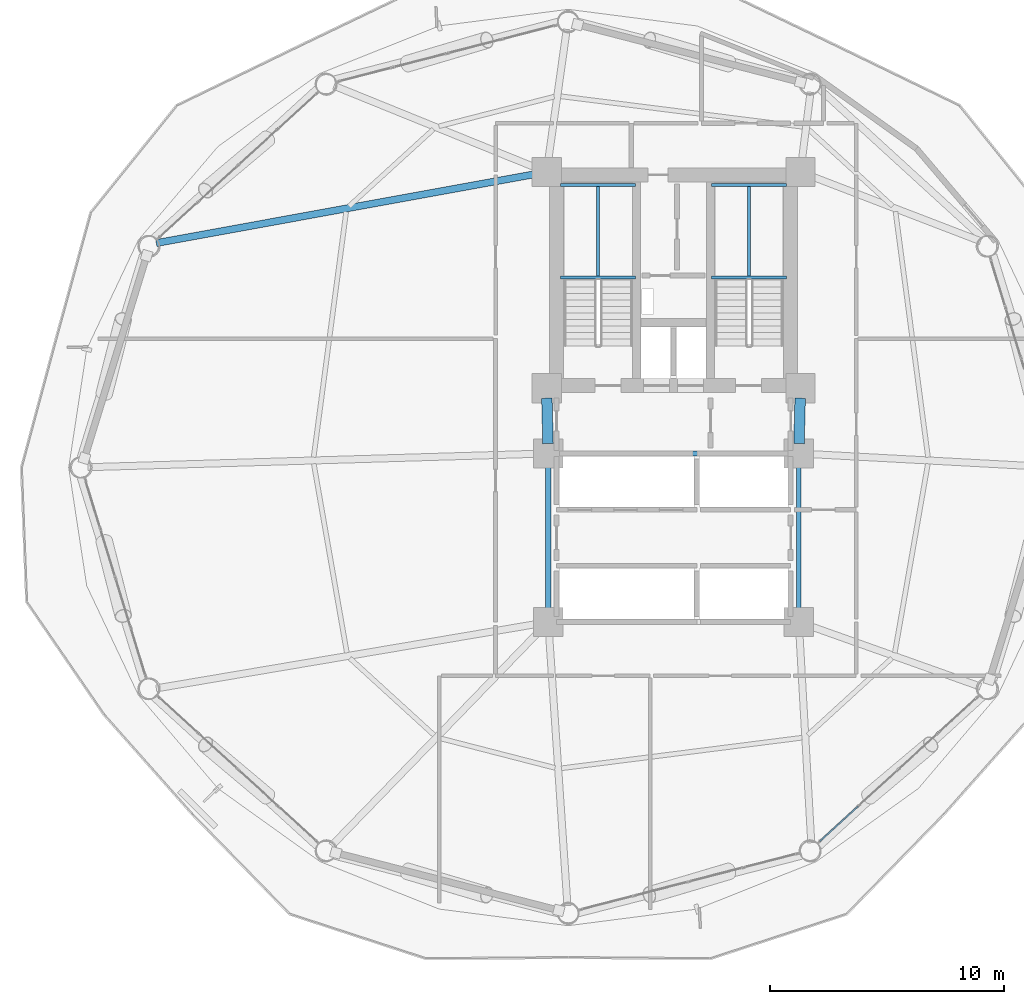
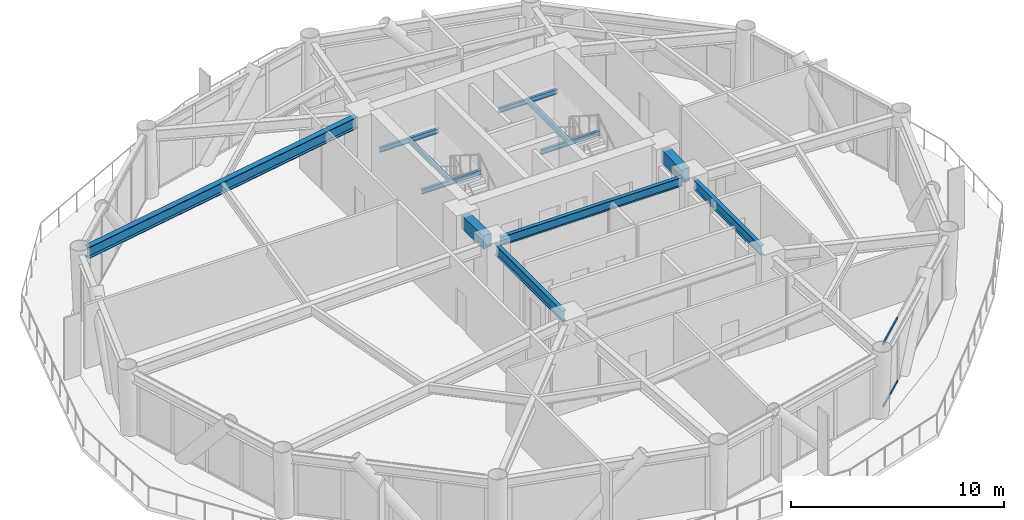
# One storey, part 12 of 24: 12 beams, 2 members, 1 element without a shape of its own.
"""IFC4 building model written with IfcOpenShell, lengths in metres."""

from ifc_helpers import new_model, si_unit, direction, frame, origin, origin_2d, place, context, subcontext, project, spatial, rectangle, hollow_rectangle, i_section, extrude, material, layer, layer_set, material_profile, profile_set, type_object, element, aggregate, save


model = new_model("IFC4")

# Units and contexts
model_context = context("Model", 3, precision=1e-05, world=origin(), true_north=direction((0.0, 1.0)))
body_context = subcontext(model_context, "Body", "Model", "MODEL_VIEW")
ifc_project = project(units=[si_unit("LENGTHUNIT", "METRE"), si_unit("AREAUNIT", "SQUARE_METRE"), si_unit("VOLUMEUNIT", "CUBIC_METRE"), si_unit("PLANEANGLEUNIT", "RADIAN"), si_unit("MASSUNIT", "GRAM", prefix="KILO")], contexts=[model_context])

# Site, building, storey
site_placement = place(None, origin())
site = spatial("IfcSite", under=ifc_project, at=site_placement, CompositionType="ELEMENT")
building_placement = place(site_placement, origin())
building = spatial("IfcBuilding", under=site, at=building_placement, Name="Varnakorn Sky Granary", CompositionType="ELEMENT")
storey_placement = place(building_placement, frame((0.0, 0.0, 43.199951171875)))
storey = spatial("IfcBuildingStorey", under=building, at=storey_placement, Name="L10", CompositionType="ELEMENT", Elevation=43.199951171875)

# Beams
ifc_material_1 = material(Name="Steel S355JR", Category="steel")
ifc_material_profile_1 = material_profile(ifc_material_1, i_section(OverallWidth=0.2099609375, OverallDepth=0.550048828125, WebThickness=0.010986328125, FlangeThickness=0.01708984375, at=origin_2d()), Name="IPE 550")
ifc_profile_set_1 = profile_set([ifc_material_profile_1], Name="Steel S355JR")
beam_type_1 = type_object("IfcBeamType", Name="BM-JST-550", PredefinedType="JOIST", material=ifc_profile_set_1)
beam_1_placement = place(storey_placement, frame((8.35009765625, 0.179931640625, 3.364990234375), z_axis=(0.0, -1.0, 0.0), x_axis=(1.0, 0.0, 0.0)))
element("IfcBeam", 1, at=beam_1_placement, inside=storey, type_object=beam_type_1, Name="Core Spine Framing Beam 4 L10", PredefinedType="JOIST", context=body_context, shape_type="SweptSolid", body=[
    extrude(i_section(OverallWidth=0.2099609375, OverallDepth=0.550048828125, WebThickness=0.010986328125, FlangeThickness=0.01708984375, at=origin_2d()), origin(), (0.0, 0.0, 1.0), 6.35986328125),
])
ifc_material_profile_2 = material_profile(ifc_material_1, i_section(OverallWidth=0.219970703125, OverallDepth=0.60009765625, WebThickness=0.011962890625, FlangeThickness=0.01904296875, at=origin_2d()), Name="IPE 600")
ifc_profile_set_2 = profile_set([ifc_material_profile_2], Name="Steel S355JR")
beam_type_2 = type_object("IfcBeamType", Name="BM-JST-600", PredefinedType="JOIST", material=ifc_profile_set_2)
beam_2_placement = place(storey_placement, frame((-2.35009765625, 0.179931640625, 3.340087890625), z_axis=(0.0, -1.0, 0.0), x_axis=(1.0, 0.0, 0.0)))
element("IfcBeam", 2, at=beam_2_placement, inside=storey, type_object=beam_type_2, Name="Core Spine Framing Beam 3 L10", PredefinedType="JOIST", context=body_context, shape_type="SweptSolid", body=[
    extrude(i_section(OverallWidth=0.219970703125, OverallDepth=0.60009765625, WebThickness=0.011962890625, FlangeThickness=0.01904296875, at=origin_2d()), origin(), (0.0, 0.0, 1.0), 6.35986328125),
])
ifc_material_2 = material(Name="Concrete C60/75", Category="concrete")
ifc_material_profile_3 = material_profile(ifc_material_2, rectangle(XDim=0.449951171875, YDim=0.75, at=origin_2d()), Name="RC 450x750")
ifc_profile_set_3 = profile_set([ifc_material_profile_3], Name="Concrete C60/75")
beam_type_3 = type_object("IfcBeamType", Name="BM-LIN-750", PredefinedType="LINTEL", material=ifc_profile_set_3)
for number, where, z_axis, x_axis, name in (
    (3, (-2.409423828125, 2.960205078125, 3.26513671875), (0.025158763514, -0.999683468213, 0.0), (0.999683468213, 0.025158763514, 0.0), "Core Spine Framing Beam 1 L10"),
    (4, (8.409423828125, 2.960205078125, 3.26513671875), (-0.025158763514, -0.999683468213, 0.0), (0.999683468213, -0.025158763514, 0.0), "Core Spine Framing Beam 2 L10"),
):
    element("IfcBeam", number, at=place(storey_placement, frame(where, z_axis=z_axis, x_axis=x_axis)), inside=storey, type_object=beam_type_3, Name=name, PredefinedType="LINTEL", context=body_context, shape_type="SweptSolid", body=[
        extrude(rectangle(XDim=0.449951171875, YDim=0.75, at=origin_2d()), origin(), (0.0, 0.0, 1.0), 1.94091796875),
    ])
ifc_material_profile_4 = material_profile(ifc_material_1, i_section(OverallWidth=0.135009765625, OverallDepth=0.27001953125, WebThickness=0.006591796875, FlangeThickness=0.01025390625, at=origin_2d()), Name="IPE 270")
ifc_profile_set_4 = profile_set([ifc_material_profile_4], Name="Steel S355JR")
beam_type_4 = type_object("IfcBeamType", Name="BM-LND-270", PredefinedType="BEAM", material=ifc_profile_set_4)
for number, where, z_axis, x_axis, name in (
    (5, (-1.820068359375, 8.1201171875, 1.614990234375), (1.0, 0.0, 0.0), (0.0, 1.0, 0.0), "Stair ST-1 Landing Trimmer Beam A L10-1"),
    (6, (-1.820068359375, 12.06005859375, 1.614990234375), (1.0, 0.0, 0.0), (0.0, 1.0, 0.0), "Stair ST-1 Landing Trimmer Beam B L10-1"),
):
    element("IfcBeam", number, at=place(storey_placement, frame(where, z_axis=z_axis, x_axis=x_axis)), inside=storey, type_object=beam_type_4, Name=name, PredefinedType="BEAM", context=body_context, shape_type="SweptSolid", body=[
        extrude(i_section(OverallWidth=0.135009765625, OverallDepth=0.27001953125, WebThickness=0.006591796875, FlangeThickness=0.01025390625, at=origin_2d()), origin(), (0.0, 0.0, 1.0), 3.199951171875),
    ])
beam_3_placement = place(storey_placement, frame((-0.219970703125, 8.1201171875, 1.614990234375), z_axis=(0.0, 1.0, 0.0), x_axis=(-1.0, 0.0, 0.0)))
element("IfcBeam", 7, at=beam_3_placement, inside=storey, type_object=beam_type_4, Name="Stair ST-1 Landing Cross Beam C L10-1", PredefinedType="BEAM", context=body_context, shape_type="SweptSolid", body=[
    extrude(i_section(OverallWidth=0.135009765625, OverallDepth=0.27001953125, WebThickness=0.006591796875, FlangeThickness=0.01025390625, at=origin_2d()), origin(), (0.0, 0.0, 1.0), 3.93994140625),
])
for number, where, z_axis, x_axis, name in (
    (8, (4.6201171875, 8.1201171875, 1.614990234375), (1.0, 0.0, 0.0), (0.0, 1.0, 0.0), "Stair ST-2 Landing Trimmer Beam A L10-1"),
    (9, (4.6201171875, 12.06005859375, 1.614990234375), (1.0, 0.0, 0.0), (0.0, 1.0, 0.0), "Stair ST-2 Landing Trimmer Beam B L10-1"),
):
    element("IfcBeam", number, at=place(storey_placement, frame(where, z_axis=z_axis, x_axis=x_axis)), inside=storey, type_object=beam_type_4, Name=name, PredefinedType="BEAM", context=body_context, shape_type="SweptSolid", body=[
        extrude(i_section(OverallWidth=0.135009765625, OverallDepth=0.27001953125, WebThickness=0.006591796875, FlangeThickness=0.01025390625, at=origin_2d()), origin(), (0.0, 0.0, 1.0), 3.199951171875),
    ])
beam_4_placement = place(storey_placement, frame((6.219970703125, 8.1201171875, 1.614990234375), z_axis=(0.0, 1.0, 0.0), x_axis=(-1.0, 0.0, 0.0)))
element("IfcBeam", 10, at=beam_4_placement, inside=storey, type_object=beam_type_4, Name="Stair ST-2 Landing Cross Beam C L10-1", PredefinedType="BEAM", context=body_context, shape_type="SweptSolid", body=[
    extrude(i_section(OverallWidth=0.135009765625, OverallDepth=0.27001953125, WebThickness=0.006591796875, FlangeThickness=0.01025390625, at=origin_2d()), origin(), (0.0, 0.0, 1.0), 3.93994140625),
])
ifc_material_profile_5 = material_profile(ifc_material_1, i_section(OverallWidth=0.300048828125, OverallDepth=0.64990234375, WebThickness=0.01611328125, FlangeThickness=0.031005859375, at=origin_2d()), Name="HE 650 B")
ifc_profile_set_5 = profile_set([ifc_material_profile_5], Name="Steel S355JR")
beam_type_5 = type_object("IfcBeamType", Name="BM-RAD-Z1", PredefinedType="BEAM", material=ifc_profile_set_5)
beam_5_placement = place(storey_placement, frame((-2.833251953125, 12.544921875, 3.31494140625), z_axis=(-0.983846026528, -0.179016748058, 0.0), x_axis=(0.179016748058, -0.983846026528, 0.0)))
element("IfcBeam", 11, at=beam_5_placement, inside=storey, type_object=beam_type_5, Name="Radial Floor Girder RG06 L10", PredefinedType="BEAM", context=body_context, shape_type="SweptSolid", body=[
    extrude(i_section(OverallWidth=0.300048828125, OverallDepth=0.64990234375, WebThickness=0.01611328125, FlangeThickness=0.031005859375, at=origin_2d()), origin(), (0.0, 0.0, 1.0), 16.52490234375),
])
ifc_material_profile_6 = material_profile(ifc_material_1, i_section(OverallWidth=0.199951171875, OverallDepth=0.5, WebThickness=0.01025390625, FlangeThickness=0.01611328125, at=origin_2d()), Name="IPE 500")
ifc_profile_set_6 = profile_set([ifc_material_profile_6], Name="Steel S355JR")
beam_type_6 = type_object("IfcBeamType", Name="BM-SEC-Z1", PredefinedType="BEAM", material=ifc_profile_set_6)
beam_6_placement = place(storey_placement, frame((-1.929931640625, 0.60009765625, 3.39013671875), z_axis=(1.0, 0.0, 0.0), x_axis=(0.0, 1.0, 0.0)))
element("IfcBeam", 12, at=beam_6_placement, inside=storey, type_object=beam_type_6, Name="Core Spine Framing Beam 5 L10", PredefinedType="BEAM", context=body_context, shape_type="SweptSolid", body=[
    extrude(i_section(OverallWidth=0.199951171875, OverallDepth=0.5, WebThickness=0.01025390625, FlangeThickness=0.01611328125, at=origin_2d()), origin(), (0.0, 0.0, 1.0), 9.85986328125),
])

# Curtain wall, members
ifc_material_3 = material(Name="Anodised Bronze Aluminium Alloy 6063-T6", Category="aluminium")
ifc_layer = layer(ifc_material_3, 0.18994140625, Name="Anodised Bronze Aluminium Alloy 6063-T6")
ifc_layer_set = layer_set([ifc_layer], Name="Anodised Bronze Aluminium Alloy 6063-T6")
curtain_wall_type = type_object("IfcCurtainWallType", Name="CW-FRM-1", PredefinedType="USERDEFINED", material=ifc_layer_set)
curtain_wall_placement = place(storey_placement, origin())
curtain_wall = element("IfcCurtainWall", 13, at=curtain_wall_placement, inside=storey, type_object=curtain_wall_type, Name="Unitised Curtain Wall CW3 CW-L10-B11", ObjectType="CURTAIN WALL", PredefinedType="USERDEFINED")
ifc_material_profile_7 = material_profile(ifc_material_3, hollow_rectangle(XDim=0.070068359375, YDim=0.139892578125, WallThickness=0.00341796875, at=origin_2d()), Name="ALU TRAN 70x140")
ifc_profile_set_7 = profile_set([ifc_material_profile_7], Name="Anodised Bronze Aluminium Alloy 6063-T6")
member_type = type_object("IfcMemberType", Name="CW-FRM-1-TRAN", PredefinedType="USERDEFINED", material=ifc_profile_set_7)
member_1_placement = place(storey_placement, frame((10.877685546875, -14.47509765625, 0.03515625), z_axis=(-0.737910208104, -0.674898899671, 0.0), x_axis=(0.674898899671, -0.737910208104, 0.0)))
member_1 = element("IfcMember", 14, at=member_1_placement, type_object=member_type, Name="CW3 transom 4.1", ObjectType="TRANSOM", PredefinedType="USERDEFINED", context=body_context, shape_type="SweptSolid", body=[
    extrude(hollow_rectangle(XDim=0.070068359375, YDim=0.139892578125, WallThickness=0.00341796875, at=origin_2d()), origin(), (0.0, 0.0, 1.0), 2.19677734375),
])
member_2_placement = place(storey_placement, frame((10.877685546875, -14.47509765625, 3.60498046875), z_axis=(-0.737910208104, -0.674898899671, 0.0), x_axis=(0.674898899671, -0.737910208104, 0.0)))
member_2 = element("IfcMember", 15, at=member_2_placement, type_object=member_type, Name="CW3 transom 4.2", ObjectType="TRANSOM", PredefinedType="USERDEFINED", context=body_context, shape_type="SweptSolid", body=[
    extrude(hollow_rectangle(XDim=0.070068359375, YDim=0.139892578125, WallThickness=0.00341796875, at=origin_2d()), origin(), (0.0, 0.0, 1.0), 2.19677734375),
])
aggregate(curtain_wall, [member_1, member_2])

save(model, "model.ifc")
